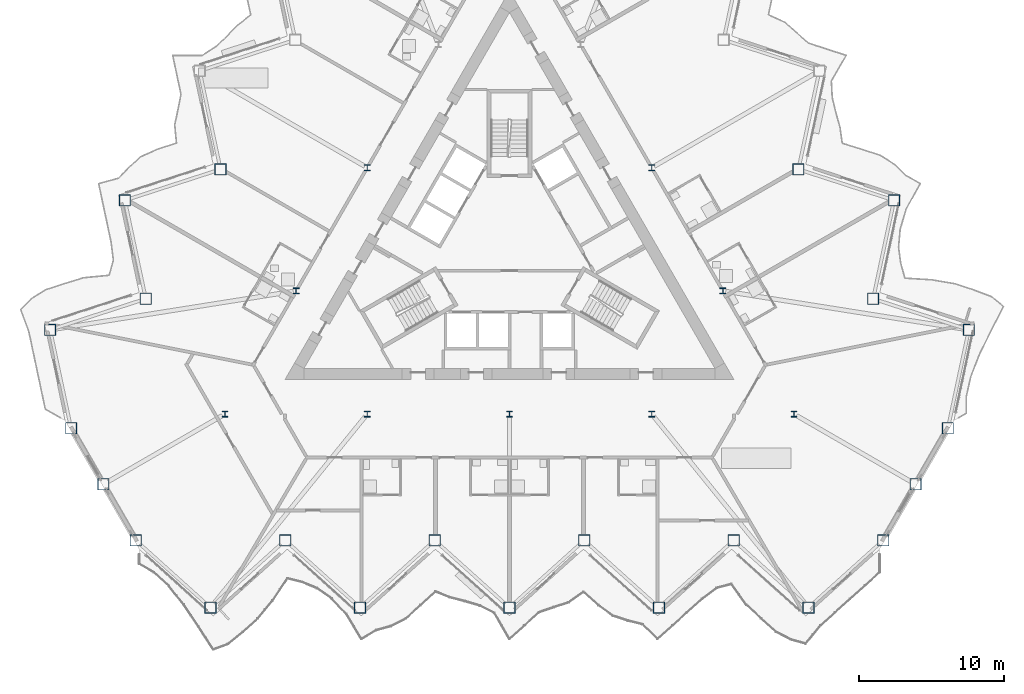
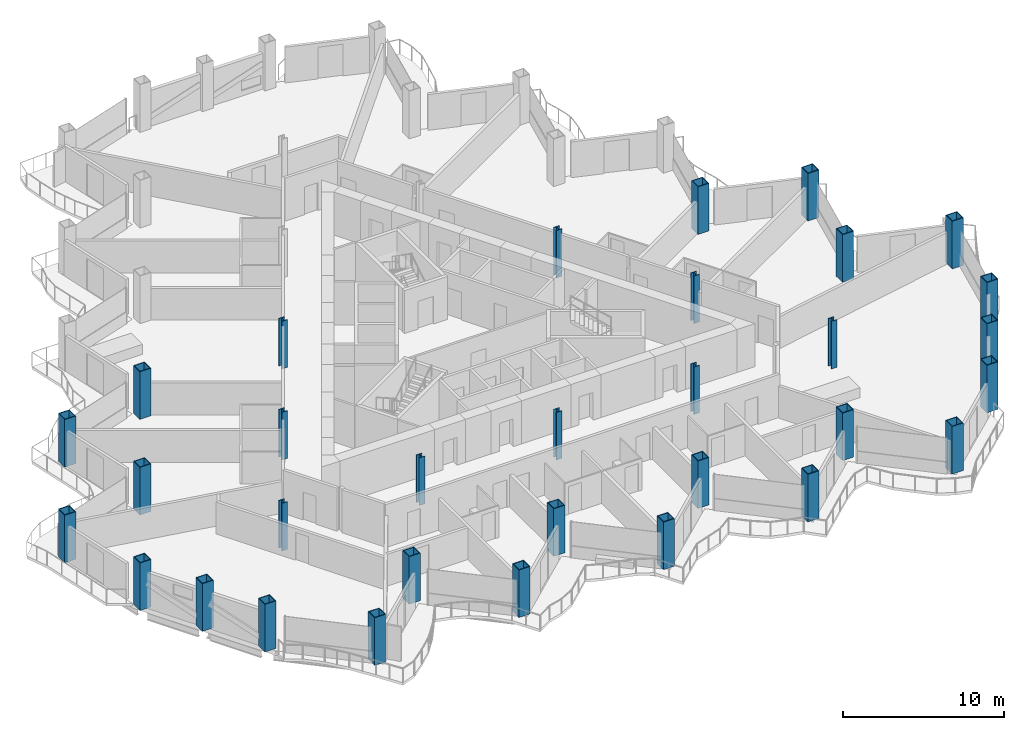
# One storey, part 1 of 23: 32 columns.
"""IFC4 building model written with IfcOpenShell, lengths in metres."""

from ifc_helpers import new_model, si_unit, direction, frame, origin, origin_2d, place, context, subcontext, project, spatial, hollow_rectangle, i_section, extrude, material, material_profile, profile_set, type_object, element, save


model = new_model("IFC4")

# Units and contexts
model_context = context("Model", 3, precision=1e-05, world=origin(), true_north=direction((0.0, 1.0)))
body_context = subcontext(model_context, "Body", "Model", "MODEL_VIEW")
ifc_project = project(units=[si_unit("LENGTHUNIT", "METRE"), si_unit("AREAUNIT", "SQUARE_METRE"), si_unit("VOLUMEUNIT", "CUBIC_METRE"), si_unit("PLANEANGLEUNIT", "RADIAN"), si_unit("MASSUNIT", "GRAM", prefix="KILO")], contexts=[model_context])

# Site, building, storey
site_placement = place(None, origin())
site = spatial("IfcSite", under=ifc_project, at=site_placement, CompositionType="ELEMENT")
building_placement = place(site_placement, origin())
building = spatial("IfcBuilding", under=site, at=building_placement, Name="Cormorant Prow Tower", CompositionType="ELEMENT")
storey_placement = place(building_placement, frame((0.0, 0.0, 172.800048828125)))
storey = spatial("IfcBuildingStorey", under=building, at=storey_placement, Name="L36", CompositionType="ELEMENT", Elevation=172.800048828125)

# Columns
ifc_material_1 = material(Name="Structural steel ASTM A572 Gr 50", Category="steel")
ifc_material_profile_1 = material_profile(ifc_material_1, hollow_rectangle(XDim=0.800048828125, YDim=0.800048828125, WallThickness=0.050048828125, at=origin_2d()), Name="Box 800x800x50")
ifc_profile_set_1 = profile_set([ifc_material_profile_1], Name="Structural steel ASTM A572 Gr 50")
column_type_1 = type_object("IfcColumnType", Name="Perimeter box column 800x800x50", PredefinedType="COLUMN", material=ifc_profile_set_1)
for number, where, z_axis, x_axis, name in (
    (1, (-25.823486328125, -20.0712890625, 0.0), (0.0, 0.0, 1.0), (1.0, 0.0, 0.0), "Perimeter column C4 at S00 L36"),
    (2, (-20.658935546875, -24.7216796875, 0.0), (0.0, 0.0, 1.0), (1.0, 0.0, 0.0), "Perimeter column C4 at S01 L36"),
    (3, (-15.494140625, -20.0712890625, 0.0), (0.0, 0.0, 1.0), (1.0, 0.0, 0.0), "Perimeter column C4 at S02 L36"),
    (4, (-10.329345703125, -24.7216796875, 0.0), (0.0, 0.0, 1.0), (1.0, 0.0, 0.0), "Perimeter column C4 at S03 L36"),
    (5, (-5.164794921875, -20.0712890625, 0.0), (0.0, 0.0, 1.0), (1.0, 0.0, 0.0), "Perimeter column C4 at S04 L36"),
    (6, (0.0, -24.7216796875, 0.0), (0.0, 0.0, 1.0), (1.0, 0.0, 0.0), "Perimeter column C4 at S05 L36"),
    (7, (5.164794921875, -20.0712890625, 0.0), (0.0, 0.0, 1.0), (1.0, 0.0, 0.0), "Perimeter column C4 at S06 L36"),
    (8, (10.329345703125, -24.7216796875, 0.0), (0.0, 0.0, 1.0), (1.0, 0.0, 0.0), "Perimeter column C4 at S07 L36"),
    (9, (15.494140625, -20.0712890625, 0.0), (0.0, 0.0, 1.0), (1.0, 0.0, 0.0), "Perimeter column C4 at S08 L36"),
    (10, (20.658935546875, -24.7216796875, 0.0), (0.0, 0.0, 1.0), (1.0, 0.0, 0.0), "Perimeter column C4 at S09 L36"),
    (11, (25.823486328125, -20.0712890625, 0.0), (0.0, 0.0, 1.0), (1.0, 0.0, 0.0), "Perimeter column C4 at ESE00 L36"),
    (12, (28.058837890625, -16.19970703125, 0.0), (0.0, 0.0, 1.0), (1.0, 0.0, 0.0), "Perimeter column C4 at ESE01 L36"),
    (13, (30.2939453125, -12.328369140625, 0.0), (0.0, 0.0, 1.0), (1.0, 0.0, 0.0), "Perimeter column C4 at ENE00 L36"),
    (14, (31.739013671875, -5.5302734375, 0.0), (0.0, 0.0, 1.0), (1.0, 0.0, 0.0), "Perimeter column C4 at ENE01 L36"),
    (15, (25.12939453125, -3.3828125, 0.0), (0.0, 0.0, 1.0), (1.0, 0.0, 0.0), "Perimeter column C4 at ENE02 L36"),
    (16, (26.57421875, 3.415283203125, 0.0), (0.0, 0.0, 1.0), (1.0, 0.0, 0.0), "Perimeter column C4 at ENE03 L36"),
    (17, (19.964599609375, 5.562744140625, 0.0), (0.0, 0.0, 1.0), (1.0, 0.0, 0.0), "Perimeter column C4 at ENE04 L36"),
    (18, (-19.964599609375, 5.562744140625, 0.0), (0.0, 0.0, 1.0), (1.0, 0.0, 0.0), "Perimeter column C4 at WNW06 L36"),
    (19, (-26.57421875, 3.415283203125, 0.0), (0.0, 0.0, 1.0), (1.0, 0.0, 0.0), "Perimeter column C4 at WNW07 L36"),
    (20, (-25.12939453125, -3.3828125, 0.0), (0.0, 0.0, 1.0), (1.0, 0.0, 0.0), "Perimeter column C4 at WNW08 L36"),
    (21, (-31.739013671875, -5.5302734375, 0.0), (0.0, 0.0, 1.0), (1.0, 0.0, 0.0), "Perimeter column C4 at WNW09 L36"),
    (22, (-30.2939453125, -12.328369140625, 0.0), (0.0, 0.0, 1.0), (1.0, 0.0, 0.0), "Perimeter column C4 at WSW00 L36"),
    (23, (-28.058837890625, -16.19970703125, 0.0), (0.0, 0.0, 1.0), (1.0, 0.0, 0.0), "Perimeter column C4 at WSW01 L36"),
):
    element("IfcColumn", number, at=place(storey_placement, frame(where, z_axis=z_axis, x_axis=x_axis)), inside=storey, type_object=column_type_1, Name=name, PredefinedType="COLUMN", context=body_context, shape_type="SweptSolid", body=[
        extrude(hollow_rectangle(XDim=0.800048828125, YDim=0.800048828125, WallThickness=0.050048828125, at=origin_2d()), origin(), (0.0, 0.0, 1.0), 3.599853515625),
    ])
ifc_material_2 = material(Name="Structural steel ASTM A992 Gr 50", Category="steel")
ifc_material_profile_2 = material_profile(ifc_material_2, i_section(OverallWidth=0.403564453125, OverallDepth=0.407470703125, WebThickness=0.027099609375, FlangeThickness=0.043701171875, at=origin_2d()), Name="W14x233")
ifc_profile_set_2 = profile_set([ifc_material_profile_2], Name="Structural steel ASTM A992 Gr 50")
column_type_2 = type_object("IfcColumnType", Name="Ring column W14x233", PredefinedType="COLUMN", material=ifc_profile_set_2)
for number, where, z_axis, x_axis, name in (
    (24, (-9.828369140625, 5.674560546875, 0.0), (0.0, 0.0, 1.0), (1.0, 0.0, 0.0), "Ring column 3 L36"),
    (25, (-14.74267578125, -2.837158203125, 0.0), (0.0, 0.0, 1.0), (1.0, 0.0, 0.0), "Ring column 4 L36"),
    (26, (-19.656982421875, -11.348876953125, 0.0), (0.0, 0.0, 1.0), (1.0, 0.0, 0.0), "Ring column 5 L36"),
    (27, (-9.828369140625, -11.348876953125, 0.0), (0.0, 0.0, 1.0), (1.0, 0.0, 0.0), "Ring column 6 L36"),
    (28, (0.0, -11.348876953125, 0.0), (0.0, 0.0, 1.0), (1.0, 0.0, 0.0), "Ring column 7 L36"),
    (29, (9.828369140625, -11.348876953125, 0.0), (0.0, 0.0, 1.0), (1.0, 0.0, 0.0), "Ring column 8 L36"),
    (30, (19.656982421875, -11.348876953125, 0.0), (0.0, 0.0, 1.0), (1.0, 0.0, 0.0), "Ring column 9 L36"),
    (31, (14.74267578125, -2.837158203125, 0.0), (0.0, 0.0, 1.0), (1.0, 0.0, 0.0), "Ring column 10 L36"),
    (32, (9.828369140625, 5.674560546875, 0.0), (0.0, 0.0, 1.0), (1.0, 0.0, 0.0), "Ring column 11 L36"),
):
    element("IfcColumn", number, at=place(storey_placement, frame(where, z_axis=z_axis, x_axis=x_axis)), inside=storey, type_object=column_type_2, Name=name, PredefinedType="COLUMN", context=body_context, shape_type="SweptSolid", body=[
        extrude(i_section(OverallWidth=0.403564453125, OverallDepth=0.407470703125, WebThickness=0.027099609375, FlangeThickness=0.043701171875, at=origin_2d()), origin(), (0.0, 0.0, 1.0), 3.599853515625),
    ])

save(model, "model.ifc")
